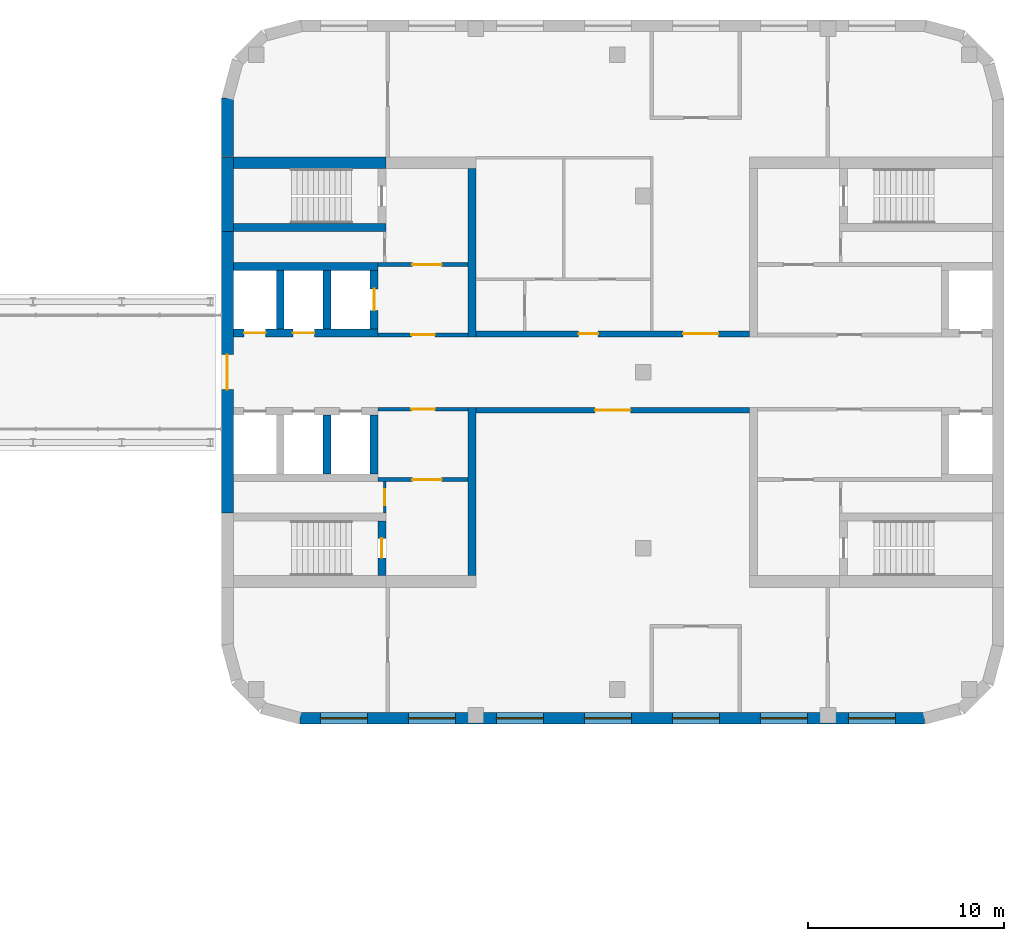
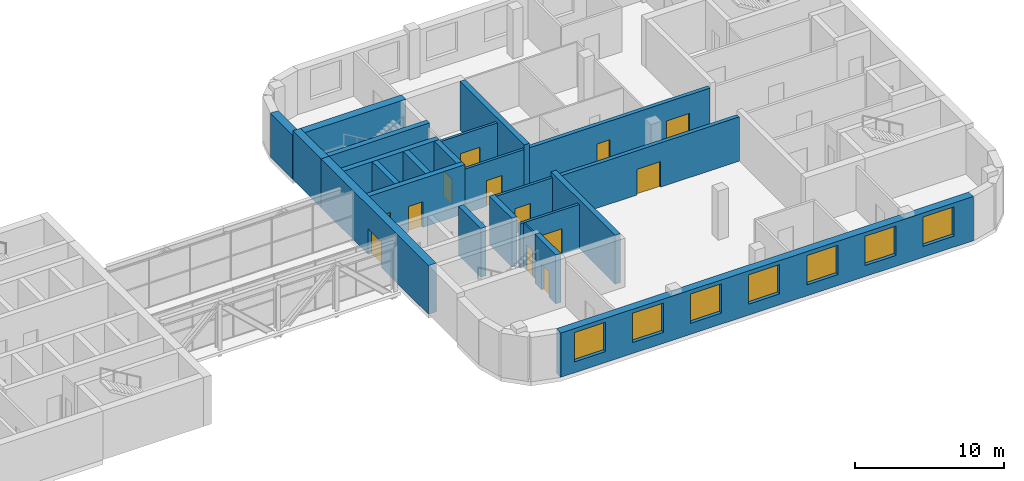
# One storey, part 10 of 18: 23 walls, 13 doors, 7 windows, 20 openings.
"""IFC4 building model written with IfcOpenShell, lengths in metres."""

from ifc_helpers import new_model, si_unit, direction, frame, frame_2d, origin, place, context, subcontext, project, spatial, rectangle, extrude, material, layer, layer_set, type_object, element, fill, save


model = new_model("IFC4")

# Units and contexts
model_context = context("Model", 3, precision=1e-05, world=origin(), true_north=direction((0.0, 1.0)))
body_context = subcontext(model_context, "Body", "Model", "MODEL_VIEW")
ifc_project = project(units=[si_unit("LENGTHUNIT", "METRE"), si_unit("AREAUNIT", "SQUARE_METRE"), si_unit("VOLUMEUNIT", "CUBIC_METRE"), si_unit("PLANEANGLEUNIT", "RADIAN"), si_unit("MASSUNIT", "GRAM", prefix="KILO")], contexts=[model_context])

# Site, building, storey
site_placement = place(None, origin())
site = spatial("IfcSite", under=ifc_project, at=site_placement, CompositionType="ELEMENT")
building_placement = place(site_placement, origin())
building = spatial("IfcBuilding", under=site, at=building_placement, Name="Skarvind Civic Tower", CompositionType="ELEMENT")
storey_placement = place(building_placement, frame((0.0, 0.0, 31.5)))
storey = spatial("IfcBuildingStorey", under=building, at=storey_placement, Name="L06", CompositionType="ELEMENT", Elevation=31.5)

# Wall, openings, doors
ifc_material_1 = material(Name="Fire-rated gypsum board on steel studs", Category="steel")
ifc_layer_1 = layer(ifc_material_1, 0.300048828125)
ifc_layer_set_1 = layer_set([ifc_layer_1], Name="CORRIDOR WALL 300")
wall_type_1 = type_object("IfcWallType", Name="CORRIDOR WALL 300", PredefinedType="PARTITIONING", material=ifc_layer_set_1)
wall_1_placement = place(storey_placement, frame((140.0, 129.949951171875, 0.0), z_axis=(0.0, 0.0, 1.0), x_axis=(1.0, 0.0, 0.0)))
wall_1 = element("IfcWall", 1, at=wall_1_placement, inside=storey, type_object=wall_type_1, Name="Partition 06.003", PredefinedType="PARTITIONING", context=body_context, shape_type="SweptSolid", body=[
    extrude(rectangle(XDim=14.0, YDim=0.300048828125, at=frame_2d((7.0, 0.0))), origin(), (0.0, 0.0, 1.0), 3.625),
])
opening_1_placement = place(wall_1_placement, frame((5.25, 0.0, 0.0)))
opening_1 = element("IfcOpeningElement", 2, at=opening_1_placement, cuts=wall_1, Name="Opening L06-D101", PredefinedType="OPENING", context=body_context, shape_type="SweptSolid", body=[
    extrude(rectangle(XDim=1.0, YDim=2.10009765625, at=frame_2d((0.5, 1.050048828125))), frame((0.0, 0.159912109375, 0.0), z_axis=(0.0, -1.0, 0.0), x_axis=(1.0, 0.0, 0.0)), (0.0, 0.0, 1.0), 0.320068359375),
])
opening_2_placement = place(wall_1_placement, frame((10.60009765625, 0.0, 0.0)))
opening_2 = element("IfcOpeningElement", 3, at=opening_2_placement, cuts=wall_1, Name="Opening L06-D105", PredefinedType="OPENING", context=body_context, shape_type="SweptSolid", body=[
    extrude(rectangle(XDim=1.800048828125, YDim=2.10009765625, at=frame_2d((0.89990234375, 1.050048828125))), frame((0.0, 0.159912109375, 0.0), z_axis=(0.0, -1.0, 0.0), x_axis=(1.0, 0.0, 0.0)), (0.0, 0.0, 1.0), 0.320068359375),
])
ifc_material_2 = material(Name="Fire-rated timber door leaf", Category="wood")
door_type_1 = type_object("IfcDoorType", Name="FD1 1000x2100", OperationType="NOTDEFINED", PredefinedType="DOOR", material=ifc_material_2)
door_1_placement = place(opening_1_placement, origin())
door_1 = element("IfcDoor", 4, at=door_1_placement, inside=storey, type_object=door_type_1, Name="Door L06-D101", OperationType="SINGLE_SWING_RIGHT", OverallHeight=2.10009765625, OverallWidth=1.0, PredefinedType="DOOR", context=body_context, shape_type="SweptSolid", body=[
    extrude(rectangle(XDim=1.0, YDim=2.10009765625, at=frame_2d((0.5, 1.050048828125))), frame((0.0, 0.02490234375, 0.0), z_axis=(0.0, -1.0, 0.0), x_axis=(1.0, 0.0, 0.0)), (0.0, 0.0, 1.0), 0.050048828125),
])
fill(opening_1, door_1)
door_type_2 = type_object("IfcDoorType", Name="FD4 1800x2100", OperationType="NOTDEFINED", PredefinedType="DOOR", material=ifc_material_2)
door_2_placement = place(opening_2_placement, origin())
door_2 = element("IfcDoor", 5, at=door_2_placement, inside=storey, type_object=door_type_2, Name="Door L06-D105", OperationType="DOUBLE_DOOR_SINGLE_SWING", OverallHeight=2.10009765625, OverallWidth=1.800048828125, PredefinedType="DOOR", context=body_context, shape_type="SweptSolid", body=[
    extrude(rectangle(XDim=1.800048828125, YDim=2.10009765625, at=frame_2d((0.89990234375, 1.050048828125))), frame((0.0, 0.02490234375, 0.0), z_axis=(0.0, -1.0, 0.0), x_axis=(1.0, 0.0, 0.0)), (0.0, 0.0, 1.0), 0.050048828125),
])
fill(opening_2, door_2)

# Wall, opening, door
wall_2_placement = place(storey_placement, frame((154.0, 126.050048828125, 0.0), z_axis=(0.0, 0.0, 1.0), x_axis=(-1.0, 0.0, 0.0)))
wall_2 = element("IfcWall", 6, at=wall_2_placement, inside=storey, type_object=wall_type_1, Name="Partition 06.015", PredefinedType="PARTITIONING", context=body_context, shape_type="SweptSolid", body=[
    extrude(rectangle(XDim=14.0, YDim=0.300048828125, at=frame_2d((7.0, 0.0))), origin(), (0.0, 0.0, 1.0), 3.625),
])
opening_3_placement = place(wall_2_placement, frame((6.10009765625, 0.0, 0.0)))
opening_3 = element("IfcOpeningElement", 7, at=opening_3_placement, cuts=wall_2, Name="Opening L06-D109", PredefinedType="OPENING", context=body_context, shape_type="SweptSolid", body=[
    extrude(rectangle(XDim=1.800048828125, YDim=2.10009765625, at=frame_2d((0.89990234375, 1.050048828125))), frame((0.0, 0.159912109375, 0.0), z_axis=(0.0, -1.0, 0.0), x_axis=(1.0, 0.0, 0.0)), (0.0, 0.0, 1.0), 0.320068359375),
])
door_3_placement = place(opening_3_placement, origin())
door_3 = element("IfcDoor", 8, at=door_3_placement, inside=storey, type_object=door_type_2, Name="Door L06-D109", OperationType="DOUBLE_DOOR_SINGLE_SWING", OverallHeight=2.10009765625, OverallWidth=1.800048828125, PredefinedType="DOOR", context=body_context, shape_type="SweptSolid", body=[
    extrude(rectangle(XDim=1.800048828125, YDim=2.10009765625, at=frame_2d((0.89990234375, 1.050048828125))), frame((0.0, 0.02490234375, 0.0), z_axis=(0.0, -1.0, 0.0), x_axis=(1.0, 0.0, 0.0)), (0.0, 0.0, 1.0), 0.050048828125),
])
fill(opening_3, door_3)

ifc_material_3 = material(Name="Fire-rated masonry partition", Category="masonry")
ifc_layer_2 = layer(ifc_material_3, 0.199951171875)
ifc_layer_set_2 = layer_set([ifc_layer_2], Name="Core enclosure wall 200")
wall_type_2 = type_object("IfcWallType", Name="Core enclosure wall 200", PredefinedType="PARTITIONING", material=ifc_layer_set_2)
wall_3_placement = place(storey_placement, frame((135.0, 129.89990234375, 0.0), z_axis=(0.0, 0.0, 1.0), x_axis=(1.0, 0.0, 0.0)))
wall_3 = element("IfcWall", 9, at=wall_3_placement, inside=storey, type_object=wall_type_2, Name="Core wall CA", PredefinedType="PARTITIONING", context=body_context, shape_type="SweptSolid", body=[
    extrude(rectangle(XDim=4.60009765625, YDim=0.199951171875, at=frame_2d((2.300048828125, 0.0))), origin(), (0.0, 0.0, 1.0), 3.625),
])
opening_4_placement = place(wall_3_placement, frame((1.699951171875, 0.0, 0.0)))
opening_4 = element("IfcOpeningElement", 10, at=opening_4_placement, cuts=wall_3, Name="Opening D-L06-CA-06", PredefinedType="OPENING", context=body_context, shape_type="SweptSolid", body=[
    extrude(rectangle(XDim=1.199951171875, YDim=2.10009765625, at=frame_2d((0.60009765625, 1.050048828125))), frame((0.0, 0.10986328125, 0.0), z_axis=(0.0, -1.0, 0.0), x_axis=(1.0, 0.0, 0.0)), (0.0, 0.0, 1.0), 0.219970703125),
])
ifc_material_4 = material(Name="Fire-rated steel door", Category="steel")
door_type_3 = type_object("IfcDoorType", Name="Core lobby door 1200", OperationType="NOTDEFINED", PredefinedType="DOOR", material=ifc_material_4)
door_4_placement = place(opening_4_placement, origin())
door_4 = element("IfcDoor", 11, at=door_4_placement, inside=storey, type_object=door_type_3, Name="Fire door", OperationType="DOUBLE_DOOR_SINGLE_SWING", OverallHeight=2.10009765625, OverallWidth=1.199951171875, PredefinedType="DOOR", context=body_context, shape_type="SweptSolid", body=[
    extrude(rectangle(XDim=1.199951171875, YDim=2.10009765625, at=frame_2d((0.60009765625, 1.050048828125))), frame((0.0, 0.02490234375, 0.0), z_axis=(0.0, -1.0, 0.0), x_axis=(1.0, 0.0, 0.0)), (0.0, 0.0, 1.0), 0.050048828125),
])
fill(opening_4, door_4)

wall_4_placement = place(storey_placement, frame((135.0, 133.5, 0.0), z_axis=(0.0, 0.0, 1.0), x_axis=(1.0, 0.0, 0.0)))
wall_4 = element("IfcWall", 12, at=wall_4_placement, inside=storey, type_object=wall_type_2, Name="Core wall CA", PredefinedType="PARTITIONING", context=body_context, shape_type="SweptSolid", body=[
    extrude(rectangle(XDim=4.60009765625, YDim=0.199951171875, at=frame_2d((2.300048828125, 0.0))), origin(), (0.0, 0.0, 1.0), 3.625),
])
opening_5_placement = place(wall_4_placement, frame((1.75, 0.0, 0.0)))
opening_5 = element("IfcOpeningElement", 13, at=opening_5_placement, cuts=wall_4, Name="Opening D-L06-CA-07", PredefinedType="OPENING", context=body_context, shape_type="SweptSolid", body=[
    extrude(rectangle(XDim=1.5, YDim=2.10009765625, at=frame_2d((0.75, 1.050048828125))), frame((0.0, 0.10986328125, 0.0), z_axis=(0.0, -1.0, 0.0), x_axis=(1.0, 0.0, 0.0)), (0.0, 0.0, 1.0), 0.219970703125),
])
door_type_4 = type_object("IfcDoorType", Name="Fire door 1500", OperationType="NOTDEFINED", PredefinedType="DOOR", material=ifc_material_4)
door_5_placement = place(opening_5_placement, origin())
door_5 = element("IfcDoor", 14, at=door_5_placement, inside=storey, type_object=door_type_4, Name="Fire door", OperationType="DOUBLE_DOOR_SINGLE_SWING", OverallHeight=2.10009765625, OverallWidth=1.5, PredefinedType="DOOR", context=body_context, shape_type="SweptSolid", body=[
    extrude(rectangle(XDim=1.5, YDim=2.10009765625, at=frame_2d((0.75, 1.050048828125))), frame((0.0, 0.02490234375, 0.0), z_axis=(0.0, -1.0, 0.0), x_axis=(1.0, 0.0, 0.0)), (0.0, 0.0, 1.0), 0.050048828125),
])
fill(opening_5, door_5)

wall_5_placement = place(storey_placement, frame((139.60009765625, 126.10009765625, 0.0), z_axis=(0.0, 0.0, 1.0), x_axis=(-1.0, 0.0, 0.0)))
wall_5 = element("IfcWall", 15, at=wall_5_placement, inside=storey, type_object=wall_type_2, Name="Core wall CA", PredefinedType="PARTITIONING", context=body_context, shape_type="SweptSolid", body=[
    extrude(rectangle(XDim=4.60009765625, YDim=0.199951171875, at=frame_2d((2.300048828125, 0.0))), origin(), (0.0, 0.0, 1.0), 3.625),
])
opening_6_placement = place(wall_5_placement, frame((1.699951171875, 0.0, 0.0)))
opening_6 = element("IfcOpeningElement", 16, at=opening_6_placement, cuts=wall_5, Name="Opening D-L06-CA-10", PredefinedType="OPENING", context=body_context, shape_type="SweptSolid", body=[
    extrude(rectangle(XDim=1.199951171875, YDim=2.10009765625, at=frame_2d((0.60009765625, 1.050048828125))), frame((0.0, 0.10986328125, 0.0), z_axis=(0.0, -1.0, 0.0), x_axis=(1.0, 0.0, 0.0)), (0.0, 0.0, 1.0), 0.219970703125),
])
door_6_placement = place(opening_6_placement, origin())
door_6 = element("IfcDoor", 17, at=door_6_placement, inside=storey, type_object=door_type_3, Name="Fire door", OperationType="DOUBLE_DOOR_SINGLE_SWING", OverallHeight=2.10009765625, OverallWidth=1.199951171875, PredefinedType="DOOR", context=body_context, shape_type="SweptSolid", body=[
    extrude(rectangle(XDim=1.199951171875, YDim=2.10009765625, at=frame_2d((0.60009765625, 1.050048828125))), frame((0.0, 0.02490234375, 0.0), z_axis=(0.0, -1.0, 0.0), x_axis=(1.0, 0.0, 0.0)), (0.0, 0.0, 1.0), 0.050048828125),
])
fill(opening_6, door_6)

wall_6_placement = place(storey_placement, frame((139.60009765625, 122.5, 0.0), z_axis=(0.0, 0.0, 1.0), x_axis=(-1.0, 0.0, 0.0)))
wall_6 = element("IfcWall", 18, at=wall_6_placement, inside=storey, type_object=wall_type_2, Name="Core wall CA", PredefinedType="PARTITIONING", context=body_context, shape_type="SweptSolid", body=[
    extrude(rectangle(XDim=4.60009765625, YDim=0.199951171875, at=frame_2d((2.300048828125, 0.0))), origin(), (0.0, 0.0, 1.0), 3.625),
])
opening_7_placement = place(wall_6_placement, frame((1.35009765625, 0.0, 0.0)))
opening_7 = element("IfcOpeningElement", 19, at=opening_7_placement, cuts=wall_6, Name="Opening D-L06-CA-11", PredefinedType="OPENING", context=body_context, shape_type="SweptSolid", body=[
    extrude(rectangle(XDim=1.5, YDim=2.10009765625, at=frame_2d((0.75, 1.050048828125))), frame((0.0, 0.10986328125, 0.0), z_axis=(0.0, -1.0, 0.0), x_axis=(1.0, 0.0, 0.0)), (0.0, 0.0, 1.0), 0.219970703125),
])
door_7_placement = place(opening_7_placement, origin())
door_7 = element("IfcDoor", 20, at=door_7_placement, inside=storey, type_object=door_type_4, Name="Fire door", OperationType="DOUBLE_DOOR_SINGLE_SWING", OverallHeight=2.10009765625, OverallWidth=1.5, PredefinedType="DOOR", context=body_context, shape_type="SweptSolid", body=[
    extrude(rectangle(XDim=1.5, YDim=2.10009765625, at=frame_2d((0.75, 1.050048828125))), frame((0.0, 0.02490234375, 0.0), z_axis=(0.0, -1.0, 0.0), x_axis=(1.0, 0.0, 0.0)), (0.0, 0.0, 1.0), 0.050048828125),
])
fill(opening_7, door_7)

ifc_material_5 = material(Name="Concrete C80", Category="concrete")
ifc_layer_3 = layer(ifc_material_5, 0.39990234375)
ifc_layer_set_3 = layer_set([ifc_layer_3], Name="Core wall 400 C80")
wall_type_3 = type_object("IfcWallType", Name="Core wall 400 C80", PredefinedType="SHEAR", material=ifc_layer_set_3)
wall_7_placement = place(storey_placement, frame((135.199951171875, 117.60009765625, 0.0), z_axis=(0.0, 0.0, 1.0), x_axis=(0.0, 1.0, 0.0)))
wall_7 = element("IfcWall", 21, at=wall_7_placement, inside=storey, type_object=wall_type_3, Name="Core wall CA south stair end L06", PredefinedType="SHEAR", context=body_context, shape_type="SweptSolid", body=[
    extrude(rectangle(XDim=2.7998046875, YDim=0.39990234375, at=frame_2d((1.39990234375, 0.0))), origin(), (0.0, 0.0, 1.0), 4.0),
])
opening_8_placement = place(wall_7_placement, frame((0.89990234375, 0.0, 0.0)))
opening_8 = element("IfcOpeningElement", 22, at=opening_8_placement, cuts=wall_7, Name="Opening D-L06-CA-12", PredefinedType="OPENING", context=body_context, shape_type="SweptSolid", body=[
    extrude(rectangle(XDim=1.0, YDim=2.10009765625, at=frame_2d((0.5, 1.050048828125))), frame((0.0, 0.2099609375, 0.0), z_axis=(0.0, -1.0, 0.0), x_axis=(1.0, 0.0, 0.0)), (0.0, 0.0, 1.0), 0.419921875),
])
door_type_5 = type_object("IfcDoorType", Name="Fire door 1000", OperationType="NOTDEFINED", PredefinedType="DOOR", material=ifc_material_4)
door_8_placement = place(opening_8_placement, origin())
door_8 = element("IfcDoor", 23, at=door_8_placement, inside=storey, type_object=door_type_5, Name="Fire door", OperationType="SINGLE_SWING_RIGHT", OverallHeight=2.10009765625, OverallWidth=1.0, PredefinedType="DOOR", context=body_context, shape_type="SweptSolid", body=[
    extrude(rectangle(XDim=1.0, YDim=2.10009765625, at=frame_2d((0.5, 1.050048828125))), frame((0.0, 0.02490234375, 0.0), z_axis=(0.0, -1.0, 0.0), x_axis=(1.0, 0.0, 0.0)), (0.0, 0.0, 1.0), 0.050048828125),
])
fill(opening_8, door_8)

# Walls
wall_8_placement = place(storey_placement, frame((127.60009765625, 135.39990234375, 0.0), z_axis=(0.0, 0.0, 1.0), x_axis=(1.0, 0.0, 0.0)))
element("IfcWall", 24, at=wall_8_placement, inside=storey, type_object=wall_type_3, Name="Core wall CA north stair inner L06", PredefinedType="SHEAR", context=body_context, shape_type="SweptSolid", body=[
    extrude(rectangle(XDim=7.7998046875, YDim=0.39990234375, at=frame_2d((3.89990234375, 0.0))), origin(), (0.0, 0.0, 1.0), 4.0),
])
for number, where, z_axis, x_axis, name in (
    (25, (132.39990234375, 122.800048828125, 0.0), (0.0, 0.0, 1.0), (0.0, 1.0, 0.0), "Core wall CA south lift row division 2 L06"),
    (26, (134.800048828125, 122.800048828125, 0.0), (0.0, 0.0, 1.0), (0.0, 1.0, 0.0), "Core wall CA south lift row division 3 L06"),
):
    element("IfcWall", number, at=place(storey_placement, frame(where, z_axis=z_axis, x_axis=x_axis)), inside=storey, type_object=wall_type_3, Name=name, PredefinedType="SHEAR", context=body_context, shape_type="SweptSolid", body=[
        extrude(rectangle(XDim=3.0, YDim=0.39990234375, at=frame_2d((1.5, 0.0))), origin(), (0.0, 0.0, 1.0), 4.0),
    ])

# Wall, openings, doors
wall_9_placement = place(storey_placement, frame((127.60009765625, 130.0, 0.0), z_axis=(0.0, 0.0, 1.0), x_axis=(1.0, 0.0, 0.0)))
wall_9 = element("IfcWall", 27, at=wall_9_placement, inside=storey, type_object=wall_type_3, Name="Core wall CA north lift row front L06", PredefinedType="SHEAR", context=body_context, shape_type="SweptSolid", body=[
    extrude(rectangle(XDim=7.39990234375, YDim=0.39990234375, at=frame_2d((3.699951171875, 0.0))), origin(), (0.0, 0.0, 1.0), 4.0),
])
opening_9_placement = place(wall_9_placement, frame((0.550048828125, 0.0, 0.0)))
opening_9 = element("IfcOpeningElement", 28, at=opening_9_placement, cuts=wall_9, Name="Opening LD08301", PredefinedType="OPENING", context=body_context, shape_type="SweptSolid", body=[
    extrude(rectangle(XDim=1.10009765625, YDim=2.10009765625, at=frame_2d((0.550048828125, 1.050048828125))), frame((0.0, 0.2099609375, 0.0), z_axis=(0.0, -1.0, 0.0), x_axis=(1.0, 0.0, 0.0)), (0.0, 0.0, 1.0), 0.419921875),
])
opening_10_placement = place(wall_9_placement, frame((3.050048828125, 0.0, 0.0)))
opening_10 = element("IfcOpeningElement", 29, at=opening_10_placement, cuts=wall_9, Name="Opening LD08302", PredefinedType="OPENING", context=body_context, shape_type="SweptSolid", body=[
    extrude(rectangle(XDim=1.10009765625, YDim=2.10009765625, at=frame_2d((0.550048828125, 1.050048828125))), frame((0.0, 0.2099609375, 0.0), z_axis=(0.0, -1.0, 0.0), x_axis=(1.0, 0.0, 0.0)), (0.0, 0.0, 1.0), 0.419921875),
])
ifc_material_6 = material(Name="Stainless steel landing door", Category="steel")
door_type_6 = type_object("IfcDoorType", Name="Lift landing door 1100", OperationType="DOUBLE_DOOR_SLIDING", PredefinedType="DOOR", material=ifc_material_6)
door_9_placement = place(opening_9_placement, origin())
door_9 = element("IfcDoor", 30, at=door_9_placement, inside=storey, type_object=door_type_6, Name="Lift landing door", OperationType="DOUBLE_DOOR_SLIDING", OverallHeight=2.10009765625, OverallWidth=1.10009765625, PredefinedType="DOOR", context=body_context, shape_type="SweptSolid", body=[
    extrude(rectangle(XDim=1.10009765625, YDim=2.10009765625, at=frame_2d((0.550048828125, 1.050048828125))), frame((0.0, 0.02490234375, 0.0), z_axis=(0.0, -1.0, 0.0), x_axis=(1.0, 0.0, 0.0)), (0.0, 0.0, 1.0), 0.050048828125),
])
fill(opening_9, door_9)
door_10_placement = place(opening_10_placement, origin())
door_10 = element("IfcDoor", 31, at=door_10_placement, inside=storey, type_object=door_type_6, Name="Lift landing door", OperationType="DOUBLE_DOOR_SLIDING", OverallHeight=2.10009765625, OverallWidth=1.10009765625, PredefinedType="DOOR", context=body_context, shape_type="SweptSolid", body=[
    extrude(rectangle(XDim=1.10009765625, YDim=2.10009765625, at=frame_2d((0.550048828125, 1.050048828125))), frame((0.0, 0.02490234375, 0.0), z_axis=(0.0, -1.0, 0.0), x_axis=(1.0, 0.0, 0.0)), (0.0, 0.0, 1.0), 0.050048828125),
])
fill(opening_10, door_10)

# Walls
wall_10_placement = place(storey_placement, frame((127.60009765625, 133.39990234375, 0.0), z_axis=(0.0, 0.0, 1.0), x_axis=(1.0, 0.0, 0.0)))
element("IfcWall", 32, at=wall_10_placement, inside=storey, type_object=wall_type_3, Name="Core wall CA north lift row back L06", PredefinedType="SHEAR", context=body_context, shape_type="SweptSolid", body=[
    extrude(rectangle(XDim=7.39990234375, YDim=0.39990234375, at=frame_2d((3.699951171875, 0.0))), origin(), (0.0, 0.0, 1.0), 4.0),
])
for number, where, z_axis, x_axis, name in (
    (33, (130.0, 130.199951171875, 0.0), (0.0, 0.0, 1.0), (0.0, 1.0, 0.0), "Core wall CA north lift row division 1 L06"),
    (34, (132.39990234375, 130.199951171875, 0.0), (0.0, 0.0, 1.0), (0.0, 1.0, 0.0), "Core wall CA north lift row division 2 L06"),
):
    element("IfcWall", number, at=place(storey_placement, frame(where, z_axis=z_axis, x_axis=x_axis)), inside=storey, type_object=wall_type_3, Name=name, PredefinedType="SHEAR", context=body_context, shape_type="SweptSolid", body=[
        extrude(rectangle(XDim=3.0, YDim=0.39990234375, at=frame_2d((1.5, 0.0))), origin(), (0.0, 0.0, 1.0), 4.0),
    ])

# Wall, opening, door
wall_11_placement = place(storey_placement, frame((134.800048828125, 130.199951171875, 0.0), z_axis=(0.0, 0.0, 1.0), x_axis=(0.0, 1.0, 0.0)))
wall_11 = element("IfcWall", 35, at=wall_11_placement, inside=storey, type_object=wall_type_3, Name="Core wall CA north lift row division 3 L06", PredefinedType="SHEAR", context=body_context, shape_type="SweptSolid", body=[
    extrude(rectangle(XDim=3.0, YDim=0.39990234375, at=frame_2d((1.5, 0.0))), origin(), (0.0, 0.0, 1.0), 4.0),
])
opening_11_placement = place(wall_11_placement, frame((0.949951171875, 0.0, 0.0)))
opening_11 = element("IfcOpeningElement", 36, at=opening_11_placement, cuts=wall_11, Name="Opening LD08303", PredefinedType="OPENING", context=body_context, shape_type="SweptSolid", body=[
    extrude(rectangle(XDim=1.10009765625, YDim=2.10009765625, at=frame_2d((0.550048828125, 1.050048828125))), frame((0.0, 0.2099609375, 0.0), z_axis=(0.0, -1.0, 0.0), x_axis=(1.0, 0.0, 0.0)), (0.0, 0.0, 1.0), 0.419921875),
])
door_11_placement = place(opening_11_placement, origin())
door_11 = element("IfcDoor", 37, at=door_11_placement, inside=storey, type_object=door_type_6, Name="Lift landing door", OperationType="DOUBLE_DOOR_SLIDING", OverallHeight=2.10009765625, OverallWidth=1.10009765625, PredefinedType="DOOR", context=body_context, shape_type="SweptSolid", body=[
    extrude(rectangle(XDim=1.10009765625, YDim=2.10009765625, at=frame_2d((0.550048828125, 1.050048828125))), frame((0.0, 0.02490234375, 0.0), z_axis=(0.0, -1.0, 0.0), x_axis=(1.0, 0.0, 0.0)), (0.0, 0.0, 1.0), 0.050048828125),
])
fill(opening_11, door_11)

# Walls
for number, where, z_axis, x_axis, name in (
    (38, (139.800048828125, 117.60009765625, 0.0), (0.0, 0.0, 1.0), (0.0, 1.0, 0.0), "Core wall CA south inner face L06"),
    (39, (139.800048828125, 129.800048828125, 0.0), (0.0, 0.0, 1.0), (0.0, 1.0, 0.0), "Core wall CA north inner face L06"),
):
    element("IfcWall", number, at=place(storey_placement, frame(where, z_axis=z_axis, x_axis=x_axis)), inside=storey, type_object=wall_type_3, Name=name, PredefinedType="SHEAR", context=body_context, shape_type="SweptSolid", body=[
        extrude(rectangle(XDim=8.599853515625, YDim=0.39990234375, at=frame_2d((4.2998046875, 0.0))), origin(), (0.0, 0.0, 1.0), 4.0),
    ])

# Wall, opening, door
ifc_layer_4 = layer(ifc_material_5, 0.60009765625)
ifc_layer_set_4 = layer_set([ifc_layer_4], Name="Core wall 600 C80")
wall_type_4 = type_object("IfcWallType", Name="Core wall 600 C80", PredefinedType="SHEAR", material=ifc_layer_set_4)
wall_12_placement = place(storey_placement, frame((127.300048828125, 120.800048828125, 0.0), z_axis=(0.0, 0.0, 1.0), x_axis=(0.0, 1.0, 0.0)))
wall_12 = element("IfcWall", 40, at=wall_12_placement, inside=storey, type_object=wall_type_4, Name="Core wall CA tip between the stairs L06", PredefinedType="SHEAR", context=body_context, shape_type="SweptSolid", body=[
    extrude(rectangle(XDim=14.39990234375, YDim=0.60009765625, at=frame_2d((7.199951171875, 0.0))), origin(), (0.0, 0.0, 1.0), 4.0),
])
opening_12_placement = place(wall_12_placement, frame((6.300048828125, 0.0, 0.0)))
opening_12 = element("IfcOpeningElement", 41, at=opening_12_placement, cuts=wall_12, Name="Opening D-L06-CA-15", PredefinedType="OPENING", context=body_context, shape_type="SweptSolid", body=[
    extrude(rectangle(XDim=1.800048828125, YDim=2.10009765625, at=frame_2d((0.89990234375, 1.050048828125))), frame((0.0, 0.31005859375, 0.0), z_axis=(0.0, -1.0, 0.0), x_axis=(1.0, 0.0, 0.0)), (0.0, 0.0, 1.0), 0.6201171875),
])
door_type_7 = type_object("IfcDoorType", Name="Fire door pair 1800", OperationType="NOTDEFINED", PredefinedType="DOOR", material=ifc_material_4)
door_12_placement = place(opening_12_placement, origin())
door_12 = element("IfcDoor", 42, at=door_12_placement, inside=storey, type_object=door_type_7, Name="Bridge door", OperationType="DOUBLE_DOOR_SINGLE_SWING", OverallHeight=2.10009765625, OverallWidth=1.800048828125, PredefinedType="DOOR", context=body_context, shape_type="SweptSolid", body=[
    extrude(rectangle(XDim=1.800048828125, YDim=2.10009765625, at=frame_2d((0.89990234375, 1.050048828125))), frame((0.0, 0.02490234375, 0.0), z_axis=(0.0, -1.0, 0.0), x_axis=(1.0, 0.0, 0.0)), (0.0, 0.0, 1.0), 0.050048828125),
])
fill(opening_12, door_12)

# Walls
wall_13_placement = place(storey_placement, frame((127.300048828125, 135.199951171875, 0.0), z_axis=(0.0, 0.0, 1.0), x_axis=(0.0, 1.0, 0.0)))
element("IfcWall", 43, at=wall_13_placement, inside=storey, type_object=wall_type_4, Name="Core wall CA tip at the north stair L06", PredefinedType="SHEAR", context=body_context, shape_type="SweptSolid", body=[
    extrude(rectangle(XDim=3.800048828125, YDim=0.60009765625, at=frame_2d((1.89990234375, 0.0))), origin(), (0.0, 0.0, 1.0), 4.0),
])
wall_14_placement = place(storey_placement, frame((127.60009765625, 138.699951171875, 0.0), z_axis=(0.0, 0.0, 1.0), x_axis=(1.0, 0.0, 0.0)))
element("IfcWall", 44, at=wall_14_placement, inside=storey, type_object=wall_type_4, Name="Core wall CA north side at the stair L06", PredefinedType="SHEAR", context=body_context, shape_type="SweptSolid", body=[
    extrude(rectangle(XDim=7.7998046875, YDim=0.60009765625, at=frame_2d((3.89990234375, 0.0))), origin(), (0.0, 0.0, 1.0), 4.0),
])

# Wall, opening, door
ifc_layer_5 = layer(ifc_material_3, 0.125)
ifc_layer_set_5 = layer_set([ifc_layer_5], Name="Riser wall 125")
wall_type_5 = type_object("IfcWallType", Name="Riser wall 125", PredefinedType="PARTITIONING", material=ifc_layer_set_5)
wall_15_placement = place(storey_placement, frame((135.33740234375, 122.39990234375, 0.0), z_axis=(0.0, 0.0, 1.0), x_axis=(0.0, -1.0, 0.0)))
wall_15 = element("IfcWall", 45, at=wall_15_placement, inside=storey, type_object=wall_type_5, Name="Core wall CA", PredefinedType="PARTITIONING", context=body_context, shape_type="SweptSolid", body=[
    extrude(rectangle(XDim=1.599853515625, YDim=0.125, at=frame_2d((0.7998046875, 0.0))), origin(), (0.0, 0.0, 1.0), 3.625),
])
opening_13_placement = place(wall_15_placement, frame((0.39990234375, 0.0, 0.0)))
opening_13 = element("IfcOpeningElement", 46, at=opening_13_placement, cuts=wall_15, Name="Opening D-L06-CA-13", PredefinedType="OPENING", context=body_context, shape_type="SweptSolid", body=[
    extrude(rectangle(XDim=0.800048828125, YDim=2.10009765625, at=frame_2d((0.39990234375, 1.050048828125))), frame((0.0, 0.072509765625, 0.0), z_axis=(0.0, -1.0, 0.0), x_axis=(1.0, 0.0, 0.0)), (0.0, 0.0, 1.0), 0.14501953125),
])
door_type_8 = type_object("IfcDoorType", Name="Core riser door 800", OperationType="NOTDEFINED", PredefinedType="DOOR", material=ifc_material_4)
door_13_placement = place(opening_13_placement, origin())
door_13 = element("IfcDoor", 47, at=door_13_placement, inside=storey, type_object=door_type_8, Name="Riser door", OperationType="SINGLE_SWING_LEFT", OverallHeight=2.10009765625, OverallWidth=0.800048828125, PredefinedType="DOOR", context=body_context, shape_type="SweptSolid", body=[
    extrude(rectangle(XDim=0.800048828125, YDim=2.10009765625, at=frame_2d((0.39990234375, 1.050048828125))), frame((0.0, 0.02490234375, 0.0), z_axis=(0.0, -1.0, 0.0), x_axis=(1.0, 0.0, 0.0)), (0.0, 0.0, 1.0), 0.050048828125),
])
fill(opening_13, door_13)

# Wall
ifc_material_7 = material(Name="Limestone masonry cladding on insulated backing", Category="masonry")
ifc_layer_6 = layer(ifc_material_7, 0.60009765625)
ifc_layer_set_6 = layer_set([ifc_layer_6], Name="WX1 STONE FACADE WALL 600")
wall_type_6 = type_object("IfcWallType", Name="WX1 STONE FACADE WALL 600", PredefinedType="SOLIDWALL", material=ifc_layer_set_6)
wall_16_placement = place(storey_placement, frame((127.300048828125, 139.02001953125, 0.0), z_axis=(0.0, 0.0, 1.0), x_axis=(0.0, 1.0, 0.0)))
element("IfcWall", 48, at=wall_16_placement, inside=storey, type_object=wall_type_6, Name="STONE FACADE WALL", PredefinedType="SOLIDWALL", context=body_context, shape_type="SweptSolid", body=[
    extrude(rectangle(XDim=2.97998046875, YDim=0.60009765625, at=frame_2d((1.489990234375, 0.0))), origin(), (0.0, 0.0, 1.0), 3.625),
])

# Wall, openings, windows
wall_17_placement = place(storey_placement, frame((162.929931640625, 110.300048828125, 0.0), z_axis=(0.0, 0.0, 1.0), x_axis=(-1.0, 0.0, 0.0)))
wall_17 = element("IfcWall", 49, at=wall_17_placement, inside=storey, type_object=wall_type_6, Name="STONE FACADE WALL", PredefinedType="SOLIDWALL", context=body_context, shape_type="SweptSolid", body=[
    extrude(rectangle(XDim=31.929931640625, YDim=0.60009765625, at=frame_2d((15.96484375, 0.0))), origin(), (0.0, 0.0, 1.0), 3.625),
])
opening_14_placement = place(wall_17_placement, frame((1.47998046875, 0.0, 0.89990234375)))
opening_14 = element("IfcOpeningElement", 50, at=opening_14_placement, cuts=wall_17, Name="Opening WN9", PredefinedType="OPENING", context=body_context, shape_type="SweptSolid", body=[
    extrude(rectangle(XDim=2.39990234375, YDim=2.39990234375, at=frame_2d((1.199951171875, 1.199951171875))), frame((0.0, 0.31005859375, 0.0), z_axis=(0.0, -1.0, 0.0), x_axis=(1.0, 0.0, 0.0)), (0.0, 0.0, 1.0), 0.6201171875),
])
opening_15_placement = place(wall_17_placement, frame((5.97998046875, 0.0, 0.89990234375)))
opening_15 = element("IfcOpeningElement", 51, at=opening_15_placement, cuts=wall_17, Name="Opening WN9", PredefinedType="OPENING", context=body_context, shape_type="SweptSolid", body=[
    extrude(rectangle(XDim=2.39990234375, YDim=2.39990234375, at=frame_2d((1.199951171875, 1.199951171875))), frame((0.0, 0.31005859375, 0.0), z_axis=(0.0, -1.0, 0.0), x_axis=(1.0, 0.0, 0.0)), (0.0, 0.0, 1.0), 0.6201171875),
])
opening_16_placement = place(wall_17_placement, frame((10.47998046875, 0.0, 0.89990234375)))
opening_16 = element("IfcOpeningElement", 52, at=opening_16_placement, cuts=wall_17, Name="Opening WN9", PredefinedType="OPENING", context=body_context, shape_type="SweptSolid", body=[
    extrude(rectangle(XDim=2.39990234375, YDim=2.39990234375, at=frame_2d((1.199951171875, 1.199951171875))), frame((0.0, 0.31005859375, 0.0), z_axis=(0.0, -1.0, 0.0), x_axis=(1.0, 0.0, 0.0)), (0.0, 0.0, 1.0), 0.6201171875),
])
opening_17_placement = place(wall_17_placement, frame((14.97998046875, 0.0, 0.89990234375)))
opening_17 = element("IfcOpeningElement", 53, at=opening_17_placement, cuts=wall_17, Name="Opening WN9", PredefinedType="OPENING", context=body_context, shape_type="SweptSolid", body=[
    extrude(rectangle(XDim=2.39990234375, YDim=2.39990234375, at=frame_2d((1.199951171875, 1.199951171875))), frame((0.0, 0.31005859375, 0.0), z_axis=(0.0, -1.0, 0.0), x_axis=(1.0, 0.0, 0.0)), (0.0, 0.0, 1.0), 0.6201171875),
])
opening_18_placement = place(wall_17_placement, frame((19.47998046875, 0.0, 0.89990234375)))
opening_18 = element("IfcOpeningElement", 54, at=opening_18_placement, cuts=wall_17, Name="Opening WN9", PredefinedType="OPENING", context=body_context, shape_type="SweptSolid", body=[
    extrude(rectangle(XDim=2.39990234375, YDim=2.39990234375, at=frame_2d((1.199951171875, 1.199951171875))), frame((0.0, 0.31005859375, 0.0), z_axis=(0.0, -1.0, 0.0), x_axis=(1.0, 0.0, 0.0)), (0.0, 0.0, 1.0), 0.6201171875),
])
opening_19_placement = place(wall_17_placement, frame((23.97998046875, 0.0, 0.89990234375)))
opening_19 = element("IfcOpeningElement", 55, at=opening_19_placement, cuts=wall_17, Name="Opening WN9", PredefinedType="OPENING", context=body_context, shape_type="SweptSolid", body=[
    extrude(rectangle(XDim=2.39990234375, YDim=2.39990234375, at=frame_2d((1.199951171875, 1.199951171875))), frame((0.0, 0.31005859375, 0.0), z_axis=(0.0, -1.0, 0.0), x_axis=(1.0, 0.0, 0.0)), (0.0, 0.0, 1.0), 0.6201171875),
])
opening_20_placement = place(wall_17_placement, frame((28.47998046875, 0.0, 0.89990234375)))
opening_20 = element("IfcOpeningElement", 56, at=opening_20_placement, cuts=wall_17, Name="Opening WN9", PredefinedType="OPENING", context=body_context, shape_type="SweptSolid", body=[
    extrude(rectangle(XDim=2.39990234375, YDim=2.39990234375, at=frame_2d((1.199951171875, 1.199951171875))), frame((0.0, 0.31005859375, 0.0), z_axis=(0.0, -1.0, 0.0), x_axis=(1.0, 0.0, 0.0)), (0.0, 0.0, 1.0), 0.6201171875),
])
ifc_material_8 = material(Name="Timber frame, double glazing, timber-lined reveal", Category="wood")
window_type = type_object("IfcWindowType", Name="WN9 COMPANION TOWER WINDOW 2400 x 2400", PartitioningType="SINGLE_PANEL", PredefinedType="WINDOW", material=ifc_material_8)
window_1_placement = place(opening_14_placement, origin())
window_1 = element("IfcWindow", 57, at=window_1_placement, inside=storey, type_object=window_type, Name="WN9 WINDOW", OverallHeight=2.39990234375, OverallWidth=2.39990234375, PartitioningType="SINGLE_PANEL", PredefinedType="WINDOW", context=body_context, shape_type="SweptSolid", body=[
    extrude(rectangle(XDim=2.39990234375, YDim=2.39990234375, at=frame_2d((1.199951171875, 1.199951171875))), frame((0.0, 0.030029296875, 0.0), z_axis=(0.0, -1.0, 0.0), x_axis=(1.0, 0.0, 0.0)), (0.0, 0.0, 1.0), 0.06005859375),
])
fill(opening_14, window_1)
window_2_placement = place(opening_15_placement, origin())
window_2 = element("IfcWindow", 58, at=window_2_placement, inside=storey, type_object=window_type, Name="WN9 WINDOW", OverallHeight=2.39990234375, OverallWidth=2.39990234375, PartitioningType="SINGLE_PANEL", PredefinedType="WINDOW", context=body_context, shape_type="SweptSolid", body=[
    extrude(rectangle(XDim=2.39990234375, YDim=2.39990234375, at=frame_2d((1.199951171875, 1.199951171875))), frame((0.0, 0.030029296875, 0.0), z_axis=(0.0, -1.0, 0.0), x_axis=(1.0, 0.0, 0.0)), (0.0, 0.0, 1.0), 0.06005859375),
])
fill(opening_15, window_2)
window_3_placement = place(opening_16_placement, origin())
window_3 = element("IfcWindow", 59, at=window_3_placement, inside=storey, type_object=window_type, Name="WN9 WINDOW", OverallHeight=2.39990234375, OverallWidth=2.39990234375, PartitioningType="SINGLE_PANEL", PredefinedType="WINDOW", context=body_context, shape_type="SweptSolid", body=[
    extrude(rectangle(XDim=2.39990234375, YDim=2.39990234375, at=frame_2d((1.199951171875, 1.199951171875))), frame((0.0, 0.030029296875, 0.0), z_axis=(0.0, -1.0, 0.0), x_axis=(1.0, 0.0, 0.0)), (0.0, 0.0, 1.0), 0.06005859375),
])
fill(opening_16, window_3)
window_4_placement = place(opening_17_placement, origin())
window_4 = element("IfcWindow", 60, at=window_4_placement, inside=storey, type_object=window_type, Name="WN9 WINDOW", OverallHeight=2.39990234375, OverallWidth=2.39990234375, PartitioningType="SINGLE_PANEL", PredefinedType="WINDOW", context=body_context, shape_type="SweptSolid", body=[
    extrude(rectangle(XDim=2.39990234375, YDim=2.39990234375, at=frame_2d((1.199951171875, 1.199951171875))), frame((0.0, 0.030029296875, 0.0), z_axis=(0.0, -1.0, 0.0), x_axis=(1.0, 0.0, 0.0)), (0.0, 0.0, 1.0), 0.06005859375),
])
fill(opening_17, window_4)
window_5_placement = place(opening_18_placement, origin())
window_5 = element("IfcWindow", 61, at=window_5_placement, inside=storey, type_object=window_type, Name="WN9 WINDOW", OverallHeight=2.39990234375, OverallWidth=2.39990234375, PartitioningType="SINGLE_PANEL", PredefinedType="WINDOW", context=body_context, shape_type="SweptSolid", body=[
    extrude(rectangle(XDim=2.39990234375, YDim=2.39990234375, at=frame_2d((1.199951171875, 1.199951171875))), frame((0.0, 0.030029296875, 0.0), z_axis=(0.0, -1.0, 0.0), x_axis=(1.0, 0.0, 0.0)), (0.0, 0.0, 1.0), 0.06005859375),
])
fill(opening_18, window_5)
window_6_placement = place(opening_19_placement, origin())
window_6 = element("IfcWindow", 62, at=window_6_placement, inside=storey, type_object=window_type, Name="WN9 WINDOW", OverallHeight=2.39990234375, OverallWidth=2.39990234375, PartitioningType="SINGLE_PANEL", PredefinedType="WINDOW", context=body_context, shape_type="SweptSolid", body=[
    extrude(rectangle(XDim=2.39990234375, YDim=2.39990234375, at=frame_2d((1.199951171875, 1.199951171875))), frame((0.0, 0.030029296875, 0.0), z_axis=(0.0, -1.0, 0.0), x_axis=(1.0, 0.0, 0.0)), (0.0, 0.0, 1.0), 0.06005859375),
])
fill(opening_19, window_6)
window_7_placement = place(opening_20_placement, origin())
window_7 = element("IfcWindow", 63, at=window_7_placement, inside=storey, type_object=window_type, Name="WN9 WINDOW", OverallHeight=2.39990234375, OverallWidth=2.39990234375, PartitioningType="SINGLE_PANEL", PredefinedType="WINDOW", context=body_context, shape_type="SweptSolid", body=[
    extrude(rectangle(XDim=2.39990234375, YDim=2.39990234375, at=frame_2d((1.199951171875, 1.199951171875))), frame((0.0, 0.030029296875, 0.0), z_axis=(0.0, -1.0, 0.0), x_axis=(1.0, 0.0, 0.0)), (0.0, 0.0, 1.0), 0.06005859375),
])
fill(opening_20, window_7)

save(model, "model.ifc")
